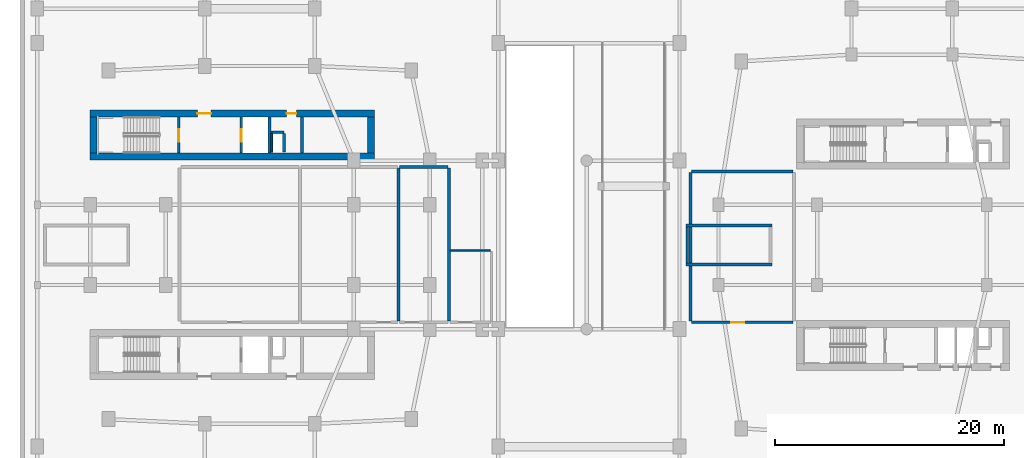
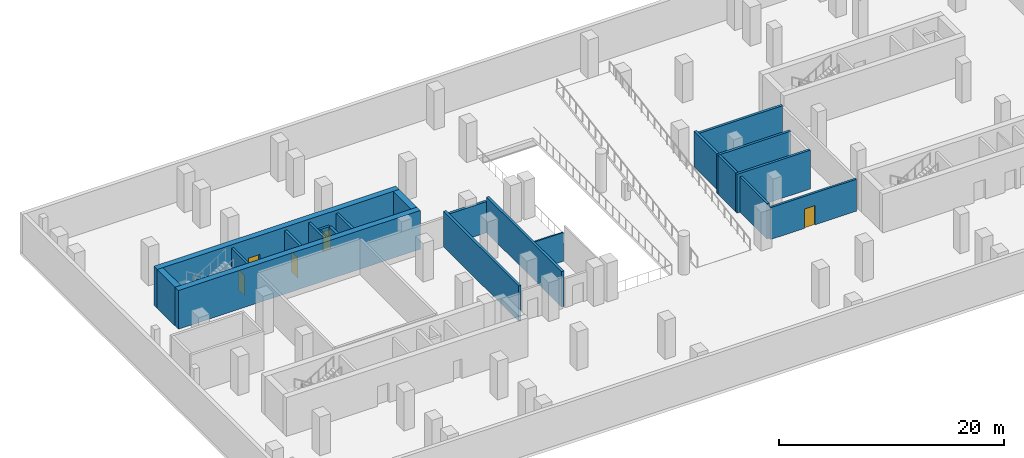
# One storey, part 6 of 13: 21 walls, 5 doors, 5 openings.
"""IFC4 building model written with IfcOpenShell, lengths in metres."""

from ifc_helpers import new_model, si_unit, derived_unit, direction, frame, frame_2d, origin, place, context, subcontext, project, spatial, rectangle, extrude, material, layer, layer_set, type_object, element, fill, save


model = new_model("IFC4")

# Units and contexts
model_context = context("Model", 3, precision=1e-05, world=origin(), true_north=direction((0.0, 1.0)))
body_context = subcontext(model_context, "Body", "Model", "MODEL_VIEW")
ifc_project = project(units=[si_unit("LENGTHUNIT", "METRE"), si_unit("AREAUNIT", "SQUARE_METRE"), si_unit("VOLUMEUNIT", "CUBIC_METRE"), si_unit("PLANEANGLEUNIT", "RADIAN"), si_unit("MASSUNIT", "GRAM", prefix="KILO"), derived_unit("THERMALTRANSMITTANCEUNIT", [(si_unit("POWERUNIT", "WATT"), 1), (si_unit("LENGTHUNIT", "METRE"), -2), (si_unit("THERMODYNAMICTEMPERATUREUNIT", "KELVIN"), -1)])], contexts=[model_context])

# Site, building, storey
site_placement = place(None, origin())
site = spatial("IfcSite", under=ifc_project, at=site_placement, CompositionType="ELEMENT")
building_placement = place(site_placement, origin())
building = spatial("IfcBuilding", under=site, at=building_placement, Name="Kivonza Crest Hotel", CompositionType="ELEMENT")
storey_placement = place(building_placement, frame((0.0, 0.0, -4.199951171875)))
storey = spatial("IfcBuildingStorey", under=building, at=storey_placement, Name="B1", CompositionType="ELEMENT", Elevation=-4.199951171875)

# Wall, opening, door
ifc_material_1 = material(Name="Autoclaved aerated concrete blockwork", Category="masonry")
ifc_layer_1 = layer(ifc_material_1, 0.219970703125)
ifc_layer_set_1 = layer_set([ifc_layer_1], Name="Autoclaved aerated concrete blockwork")
wall_type_1 = type_object("IfcWallType", Name="WL-ACOU-220", PredefinedType="SOLIDWALL", material=ifc_layer_set_1)
wall_1_placement = place(storey_placement, frame((58.64990234375, 18.25, 0.0), z_axis=(0.0, 0.0, 1.0), x_axis=(1.0, 0.0, 0.0)))
wall_1 = element("IfcWall", 1, at=wall_1_placement, inside=storey, type_object=wall_type_1, Name="B1 interior partition WA-B1-T2EL-S", PredefinedType="SOLIDWALL", context=body_context, shape_type="SweptSolid", body=[
    extrude(rectangle(XDim=8.85009765625, YDim=0.219970703125, at=frame_2d((4.425048828125, 0.0))), origin(), (0.0, 0.0, 1.0), 3.46484375),
])
opening_1_placement = place(wall_1_placement, frame((3.47705078125, 0.0, 0.0)))
opening_1 = element("IfcOpeningElement", 2, at=opening_1_placement, cuts=wall_1, Name="Opening DF-60M", PredefinedType="OPENING", context=body_context, shape_type="SweptSolid", body=[
    extrude(rectangle(XDim=1.10009765625, YDim=2.10009765625, at=frame_2d((0.550048828125, 1.050048828125))), frame((0.0, 0.1201171875, 0.0), z_axis=(0.0, -1.0, 0.0), x_axis=(1.0, 0.0, 0.0)), (0.0, 0.0, 1.0), 0.239990234375),
])
ifc_material_2 = material(Name="Hardwood timber oak", Category="wood")
door_type_1 = type_object("IfcDoorType", Name="DR-FD60-1100", OperationType="NOTDEFINED", PredefinedType="DOOR", material=ifc_material_2)
door_1_placement = place(opening_1_placement, origin())
door_1 = element("IfcDoor", 3, at=door_1_placement, inside=storey, type_object=door_type_1, Name="B1 Companion Electrical Plant Room door", OperationType="SINGLE_SWING_LEFT", OverallHeight=2.10009765625, OverallWidth=1.10009765625, PredefinedType="DOOR", context=body_context, shape_type="SweptSolid", body=[
    extrude(rectangle(XDim=1.10009765625, YDim=2.10009765625, at=frame_2d((0.550048828125, 1.050048828125))), frame((0.0, 0.02490234375, 0.0), z_axis=(0.0, -1.0, 0.0), x_axis=(1.0, 0.0, 0.0)), (0.0, 0.0, 1.0), 0.050048828125),
])
fill(opening_1, door_1)

# Wall
ifc_material_3 = material(Name="Concrete C60/75", Category="concrete")
ifc_layer_2 = layer(ifc_material_3, 0.60009765625)
ifc_layer_set_2 = layer_set([ifc_layer_2], Name="Concrete C60/75")
wall_type_2 = type_object("IfcWallType", Name="WL-CORE-600", PredefinedType="SHEAR", material=ifc_layer_set_2)
wall_2_placement = place(storey_placement, frame((6.199951171875, 32.699951171875, 0.0), z_axis=(0.0, 0.0, 1.0), x_axis=(1.0, 0.0, 0.0)))
element("IfcWall", 4, at=wall_2_placement, inside=storey, type_object=wall_type_2, Name="Core wall T1-N South B1", PredefinedType="SHEAR", context=body_context, shape_type="SweptSolid", body=[
    extrude(rectangle(XDim=24.800048828125, YDim=0.60009765625, at=frame_2d((12.39990234375, 0.0))), origin(), (0.0, 0.0, 1.0), 4.199951171875),
])

# Wall, openings, doors
wall_3_placement = place(storey_placement, frame((6.199951171875, 36.4599609375, 0.0), z_axis=(0.0, 0.0, 1.0), x_axis=(1.0, 0.0, 0.0)))
wall_3 = element("IfcWall", 5, at=wall_3_placement, inside=storey, type_object=wall_type_2, Name="Core wall T1-N North B1", PredefinedType="SHEAR", context=body_context, shape_type="SweptSolid", body=[
    extrude(rectangle(XDim=24.800048828125, YDim=0.60009765625, at=frame_2d((12.39990234375, 0.0))), origin(), (0.0, 0.0, 1.0), 4.199951171875),
])
opening_2_placement = place(wall_3_placement, frame((9.35009765625, 0.0, 0.0)))
opening_2 = element("IfcOpeningElement", 6, at=opening_2_placement, cuts=wall_3, Name="Opening DF-60", PredefinedType="OPENING", context=body_context, shape_type="SweptSolid", body=[
    extrude(rectangle(XDim=1.199951171875, YDim=2.14990234375, at=frame_2d((0.60009765625, 1.074951171875))), frame((0.0, 0.31005859375, 0.0), z_axis=(0.0, -1.0, 0.0), x_axis=(1.0, 0.0, 0.0)), (0.0, 0.0, 1.0), 0.6201171875),
])
opening_3_placement = place(wall_3_placement, frame((17.139892578125, 0.0, 0.0)))
opening_3 = element("IfcOpeningElement", 7, at=opening_3_placement, cuts=wall_3, Name="Opening DF-60R", PredefinedType="OPENING", context=body_context, shape_type="SweptSolid", body=[
    extrude(rectangle(XDim=0.85009765625, YDim=2.10009765625, at=frame_2d((0.425048828125, 1.050048828125))), frame((0.0, 0.31005859375, 0.0), z_axis=(0.0, -1.0, 0.0), x_axis=(1.0, 0.0, 0.0)), (0.0, 0.0, 1.0), 0.6201171875),
])
door_type_2 = type_object("IfcDoorType", Name="DR-FD60-1200", OperationType="NOTDEFINED", PredefinedType="DOOR", material=ifc_material_2)
door_2_placement = place(opening_2_placement, origin())
door_2 = element("IfcDoor", 8, at=door_2_placement, inside=storey, type_object=door_type_2, Name="B1 T1-N firefighting lobby fire door", OperationType="SINGLE_SWING_RIGHT", OverallHeight=2.14990234375, OverallWidth=1.199951171875, PredefinedType="DOOR", context=body_context, shape_type="SweptSolid", body=[
    extrude(rectangle(XDim=1.199951171875, YDim=2.14990234375, at=frame_2d((0.60009765625, 1.074951171875))), frame((0.0, 0.02490234375, 0.0), z_axis=(0.0, -1.0, 0.0), x_axis=(1.0, 0.0, 0.0)), (0.0, 0.0, 1.0), 0.050048828125),
])
fill(opening_2, door_2)
door_type_3 = type_object("IfcDoorType", Name="DR-FD60-850", OperationType="NOTDEFINED", PredefinedType="DOOR", material=ifc_material_2)
door_3_placement = place(opening_3_placement, origin())
door_3 = element("IfcDoor", 9, at=door_3_placement, inside=storey, type_object=door_type_3, Name="B1 T1-N core room door", OperationType="SINGLE_SWING_RIGHT", OverallHeight=2.10009765625, OverallWidth=0.85009765625, PredefinedType="DOOR", context=body_context, shape_type="SweptSolid", body=[
    extrude(rectangle(XDim=0.85009765625, YDim=2.10009765625, at=frame_2d((0.425048828125, 1.050048828125))), frame((0.0, 0.02490234375, 0.0), z_axis=(0.0, -1.0, 0.0), x_axis=(1.0, 0.0, 0.0)), (0.0, 0.0, 1.0), 0.050048828125),
])
fill(opening_3, door_3)

# Walls
for number, where, z_axis, x_axis, name in (
    (10, (6.5, 33.0, 0.0), (0.0, 0.0, 1.0), (0.0, 1.0, 0.0), "Core wall T1-N West B1"),
    (11, (30.699951171875, 33.0, 0.0), (0.0, 0.0, 1.0), (0.0, 1.0, 0.0), "Core wall T1-N East B1"),
):
    element("IfcWall", number, at=place(storey_placement, frame(where, z_axis=z_axis, x_axis=x_axis)), inside=storey, type_object=wall_type_2, Name=name, PredefinedType="SHEAR", context=body_context, shape_type="SweptSolid", body=[
        extrude(rectangle(XDim=3.159912109375, YDim=0.60009765625, at=frame_2d((1.580078125, 0.0))), origin(), (0.0, 0.0, 1.0), 4.199951171875),
    ])
ifc_material_4 = material(Name="Concrete blockwork fire-compartment wall", Category="masonry")
ifc_layer_3 = layer(ifc_material_4, 0.25)
ifc_layer_set_3 = layer_set([ifc_layer_3], Name="Concrete blockwork fire-compartment wall")
wall_type_3 = type_object("IfcWallType", Name="WL-FIRE-250", PredefinedType="SOLIDWALL", material=ifc_layer_set_3)
wall_4_placement = place(storey_placement, frame((23.10009765625, 33.10009765625, 0.0), z_axis=(0.0, 0.0, 1.0), x_axis=(0.0, 1.0, 0.0)))
element("IfcWall", 12, at=wall_4_placement, inside=storey, type_object=wall_type_3, Name="B1 interior partition WA-B1-T1-N-MEPR-E", PredefinedType="SOLIDWALL", context=body_context, shape_type="SweptSolid", body=[
    extrude(rectangle(XDim=1.619873046875, YDim=0.25, at=frame_2d((0.81005859375, 0.0))), origin(), (0.0, 0.0, 1.0), 3.849853515625),
])
wall_5_placement = place(storey_placement, frame((21.949951171875, 34.820068359375, 0.0), z_axis=(0.0, 0.0, 1.0), x_axis=(1.0, 0.0, 0.0)))
element("IfcWall", 13, at=wall_5_placement, inside=storey, type_object=wall_type_3, Name="B1 interior partition WA-B1-T1-N-MEPR-H", PredefinedType="SOLIDWALL", context=body_context, shape_type="SweptSolid", body=[
    extrude(rectangle(XDim=1.150146484375, YDim=0.25, at=frame_2d((0.5751953125, 0.0))), origin(), (0.0, 0.0, 1.0), 3.849853515625),
])
for number, where, z_axis, x_axis, name in (
    (14, (33.10009765625, 18.35009765625, 0.0), (0.0, 0.0, 1.0), (0.0, 1.0, 0.0), "B1 interior partition WP-B1-GEN-BE"),
    (15, (37.5, 18.35009765625, 0.0), (0.0, 0.0, 1.0), (0.0, 1.0, 0.0), "B1 interior partition WP-B1-SUB-BE"),
):
    element("IfcWall", number, at=place(storey_placement, frame(where, z_axis=z_axis, x_axis=x_axis)), inside=storey, type_object=wall_type_3, Name=name, PredefinedType="SOLIDWALL", context=body_context, shape_type="SweptSolid", body=[
        extrude(rectangle(XDim=13.349853515625, YDim=0.25, at=frame_2d((6.6748046875, 0.0))), origin(), (0.0, 0.0, 1.0), 3.849853515625),
    ])
wall_6_placement = place(storey_placement, frame((33.199951171875, 31.800048828125, 0.0), z_axis=(0.0, 0.0, 1.0), x_axis=(1.0, 0.0, 0.0)))
element("IfcWall", 16, at=wall_6_placement, inside=storey, type_object=wall_type_3, Name="B1 interior partition WP-B1-SUB-BN", PredefinedType="SOLIDWALL", context=body_context, shape_type="SweptSolid", body=[
    extrude(rectangle(XDim=4.199951171875, YDim=0.25, at=frame_2d((2.10009765625, 0.0))), origin(), (0.0, 0.0, 1.0), 3.375),
])
wall_7_placement = place(storey_placement, frame((58.550048828125, 18.35009765625, 0.0), z_axis=(0.0, 0.0, 1.0), x_axis=(0.0, 1.0, 0.0)))
element("IfcWall", 17, at=wall_7_placement, inside=storey, type_object=wall_type_3, Name="B1 interior partition WP-B1-T2EL-BW", PredefinedType="SOLIDWALL", context=body_context, shape_type="SweptSolid", body=[
    extrude(rectangle(XDim=12.949951171875, YDim=0.25, at=frame_2d((6.47509765625, 0.0))), origin(), (0.0, 0.0, 1.0), 3.849853515625),
])
wall_8_placement = place(storey_placement, frame((58.64990234375, 31.39990234375, 0.0), z_axis=(0.0, 0.0, 1.0), x_axis=(1.0, 0.0, 0.0)))
element("IfcWall", 18, at=wall_8_placement, inside=storey, type_object=wall_type_3, Name="B1 interior partition WP-B1-T2EL-BN", PredefinedType="SOLIDWALL", context=body_context, shape_type="SweptSolid", body=[
    extrude(rectangle(XDim=8.85009765625, YDim=0.25, at=frame_2d((4.425048828125, 0.0))), origin(), (0.0, 0.0, 1.0), 3.46484375),
])
ifc_material_5 = material(Name="Twin-stud acoustic gypsum board partition", Category="gypsum")
ifc_layer_4 = layer(ifc_material_5, 0.14990234375)
ifc_layer_set_4 = layer_set([ifc_layer_4], Name="Twin-stud acoustic gypsum board partition")
wall_type_4 = type_object("IfcWallType", Name="WL-PART-150", PredefinedType="PARTITIONING", material=ifc_layer_set_4)
wall_9_placement = place(storey_placement, frame((22.030029296875, 33.10009765625, 0.0), z_axis=(0.0, 0.0, 1.0), x_axis=(0.0, 1.0, 0.0)))
element("IfcWall", 19, at=wall_9_placement, inside=storey, type_object=wall_type_4, Name="B1 interior partition WA-B1-T1-N-MEPR-W", PredefinedType="PARTITIONING", context=body_context, shape_type="SweptSolid", body=[
    extrude(rectangle(XDim=1.619873046875, YDim=0.14990234375, at=frame_2d((0.81005859375, 0.0))), origin(), (0.0, 0.0, 1.0), 3.849853515625),
])
wall_10_placement = place(storey_placement, frame((37.60009765625, 24.5, 0.0), z_axis=(0.0, 0.0, 1.0), x_axis=(1.0, 0.0, 0.0)))
element("IfcWall", 20, at=wall_10_placement, inside=storey, type_object=wall_type_4, Name="B1 interior partition WP-B1-AWC-BN", PredefinedType="PARTITIONING", context=body_context, shape_type="SweptSolid", body=[
    extrude(rectangle(XDim=3.5, YDim=0.14990234375, at=frame_2d((1.75, 0.0))), origin(), (0.0, 0.0, 1.0), 3.125),
])

# Wall, opening, door
ifc_material_6 = material(Name="Concrete C50/60", Category="concrete")
ifc_layer_5 = layer(ifc_material_6, 0.25)
ifc_layer_set_5 = layer_set([ifc_layer_5], Name="Concrete C50/60")
wall_type_5 = type_object("IfcWallType", Name="WL-SHAFT-250", PredefinedType="STANDARD", material=ifc_layer_set_5)
wall_11_placement = place(storey_placement, frame((13.925048828125, 33.0, 0.0), z_axis=(0.0, 0.0, 1.0), x_axis=(0.0, 1.0, 0.0)))
wall_11 = element("IfcWall", 21, at=wall_11_placement, inside=storey, type_object=wall_type_5, Name="Core shaft wall T1-N STAIR B1", PredefinedType="STANDARD", context=body_context, shape_type="SweptSolid", body=[
    extrude(rectangle(XDim=3.159912109375, YDim=0.25, at=frame_2d((1.580078125, 0.0))), origin(), (0.0, 0.0, 1.0), 3.849853515625),
])
opening_4_placement = place(wall_11_placement, frame((0.97998046875, 0.0, 0.0)))
opening_4 = element("IfcOpeningElement", 22, at=opening_4_placement, cuts=wall_11, Name="Opening DF-120", PredefinedType="OPENING", context=body_context, shape_type="SweptSolid", body=[
    extrude(rectangle(XDim=1.10009765625, YDim=2.14990234375, at=frame_2d((0.550048828125, 1.074951171875))), frame((0.0, 0.135009765625, 0.0), z_axis=(0.0, -1.0, 0.0), x_axis=(1.0, 0.0, 0.0)), (0.0, 0.0, 1.0), 0.27001953125),
])
ifc_material_7 = material(Name="Galvanised steel", Category="steel")
door_type_4 = type_object("IfcDoorType", Name="DR-FD120-1100", OperationType="NOTDEFINED", PredefinedType="DOOR", material=ifc_material_7)
door_4_placement = place(opening_4_placement, frame((1.10009765625, 0.0, 0.0), z_axis=(0.0, 0.0, 1.0), x_axis=(-1.0, 0.0, 0.0)))
door_4 = element("IfcDoor", 23, at=door_4_placement, inside=storey, type_object=door_type_4, Name="B1 T1-N stair fire door", OperationType="SINGLE_SWING_LEFT", OverallHeight=2.14990234375, OverallWidth=1.10009765625, PredefinedType="DOOR", context=body_context, shape_type="SweptSolid", body=[
    extrude(rectangle(XDim=1.10009765625, YDim=2.14990234375, at=frame_2d((0.550048828125, 1.074951171875))), frame((0.0, 0.02490234375, 0.0), z_axis=(0.0, -1.0, 0.0), x_axis=(1.0, 0.0, 0.0)), (0.0, 0.0, 1.0), 0.050048828125),
])
fill(opening_4, door_4)

wall_12_placement = place(storey_placement, frame((19.375, 33.0, 0.0), z_axis=(0.0, 0.0, 1.0), x_axis=(0.0, 1.0, 0.0)))
wall_12 = element("IfcWall", 24, at=wall_12_placement, inside=storey, type_object=wall_type_5, Name="Core shaft wall T1-N FFL-W B1", PredefinedType="STANDARD", context=body_context, shape_type="SweptSolid", body=[
    extrude(rectangle(XDim=3.159912109375, YDim=0.25, at=frame_2d((1.580078125, 0.0))), origin(), (0.0, 0.0, 1.0), 3.849853515625),
])
opening_5_placement = place(wall_12_placement, frame((0.97998046875, 0.0, 0.0)))
opening_5 = element("IfcOpeningElement", 25, at=opening_5_placement, cuts=wall_12, Name="Opening LD-120", PredefinedType="OPENING", context=body_context, shape_type="SweptSolid", body=[
    extrude(rectangle(XDim=1.10009765625, YDim=2.14990234375, at=frame_2d((0.550048828125, 1.074951171875))), frame((0.0, 0.135009765625, 0.0), z_axis=(0.0, -1.0, 0.0), x_axis=(1.0, 0.0, 0.0)), (0.0, 0.0, 1.0), 0.27001953125),
])
ifc_material_8 = material(Name="Stainless steel", Category="steel")
door_type_5 = type_object("IfcDoorType", Name="DR-LD120-1100", OperationType="NOTDEFINED", PredefinedType="DOOR", material=ifc_material_8)
door_5_placement = place(opening_5_placement, origin())
door_5 = element("IfcDoor", 26, at=door_5_placement, inside=storey, type_object=door_type_5, Name="B1 FFL-T1-N firefighting lift sliding landing door", OperationType="DOUBLE_DOOR_SLIDING", OverallHeight=2.14990234375, OverallWidth=1.10009765625, PredefinedType="DOOR", context=body_context, shape_type="SweptSolid", body=[
    extrude(rectangle(XDim=1.10009765625, YDim=2.14990234375, at=frame_2d((0.550048828125, 1.074951171875))), frame((0.0, 0.02490234375, 0.0), z_axis=(0.0, -1.0, 0.0), x_axis=(1.0, 0.0, 0.0)), (0.0, 0.0, 1.0), 0.050048828125),
])
fill(opening_5, door_5)

# Walls
for number, where, z_axis, x_axis, name in (
    (27, (21.824951171875, 33.0, 0.0), (0.0, 0.0, 1.0), (0.0, 1.0, 0.0), "Core shaft wall T1-N FFL-E B1"),
    (28, (24.675048828125, 33.0, 0.0), (0.0, 0.0, 1.0), (0.0, 1.0, 0.0), "Core shaft wall T1-N BANK-W B1"),
):
    element("IfcWall", number, at=place(storey_placement, frame(where, z_axis=z_axis, x_axis=x_axis)), inside=storey, type_object=wall_type_5, Name=name, PredefinedType="STANDARD", context=body_context, shape_type="SweptSolid", body=[
        extrude(rectangle(XDim=3.159912109375, YDim=0.25, at=frame_2d((1.580078125, 0.0))), origin(), (0.0, 0.0, 1.0), 3.849853515625),
    ])
for number, where, z_axis, x_axis, name in (
    (29, (58.14990234375, 23.294921875, 0.0), (0.0, 0.0, 1.0), (1.0, 0.0, 0.0), "Podium stair enclosure wall ST-POD-E S B1"),
    (30, (58.14990234375, 26.705078125, 0.0), (0.0, 0.0, 1.0), (1.0, 0.0, 0.0), "Podium stair enclosure wall ST-POD-E N B1"),
):
    element("IfcWall", number, at=place(storey_placement, frame(where, z_axis=z_axis, x_axis=x_axis)), inside=storey, type_object=wall_type_5, Name=name, PredefinedType="STANDARD", context=body_context, shape_type="SweptSolid", body=[
        extrude(rectangle(XDim=7.5, YDim=0.25, at=frame_2d((3.75, 0.0))), origin(), (0.0, 0.0, 1.0), 4.199951171875),
    ])
wall_13_placement = place(storey_placement, frame((58.27490234375, 23.419921875, 0.0), z_axis=(0.0, 0.0, 1.0), x_axis=(0.0, 1.0, 0.0)))
element("IfcWall", 31, at=wall_13_placement, inside=storey, type_object=wall_type_5, Name="Podium stair enclosure wall ST-POD-E W B1", PredefinedType="STANDARD", context=body_context, shape_type="SweptSolid", body=[
    extrude(rectangle(XDim=3.16015625, YDim=0.25, at=frame_2d((1.580078125, 0.0))), origin(), (0.0, 0.0, 1.0), 4.199951171875),
])

save(model, "model.ifc")
